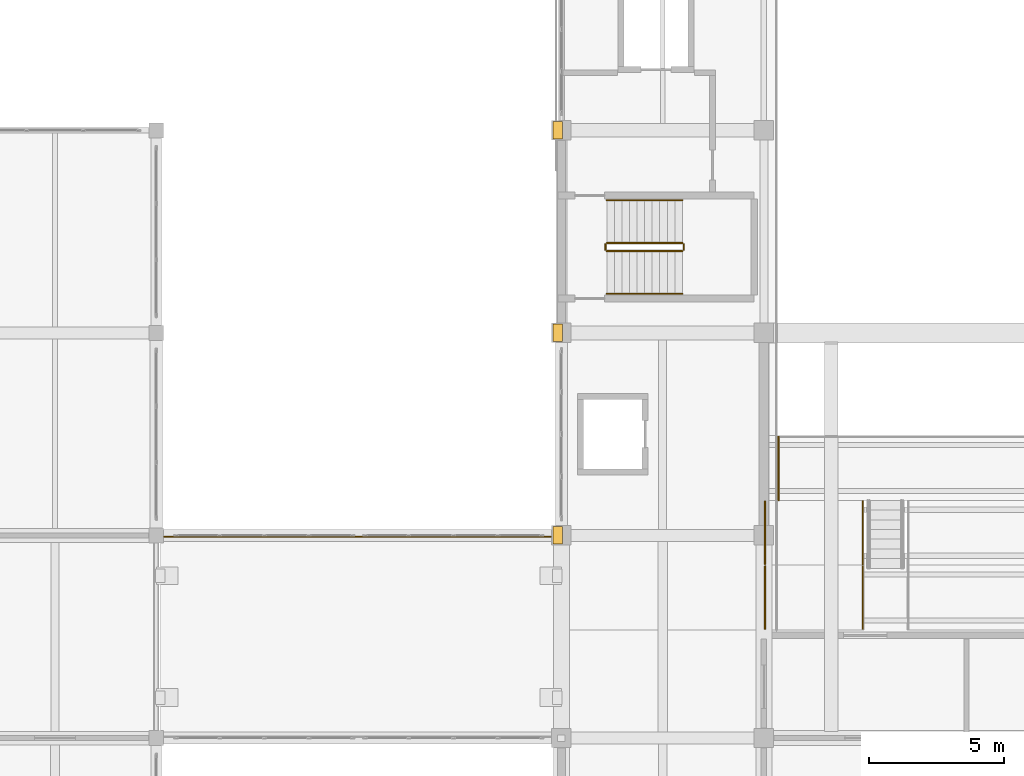
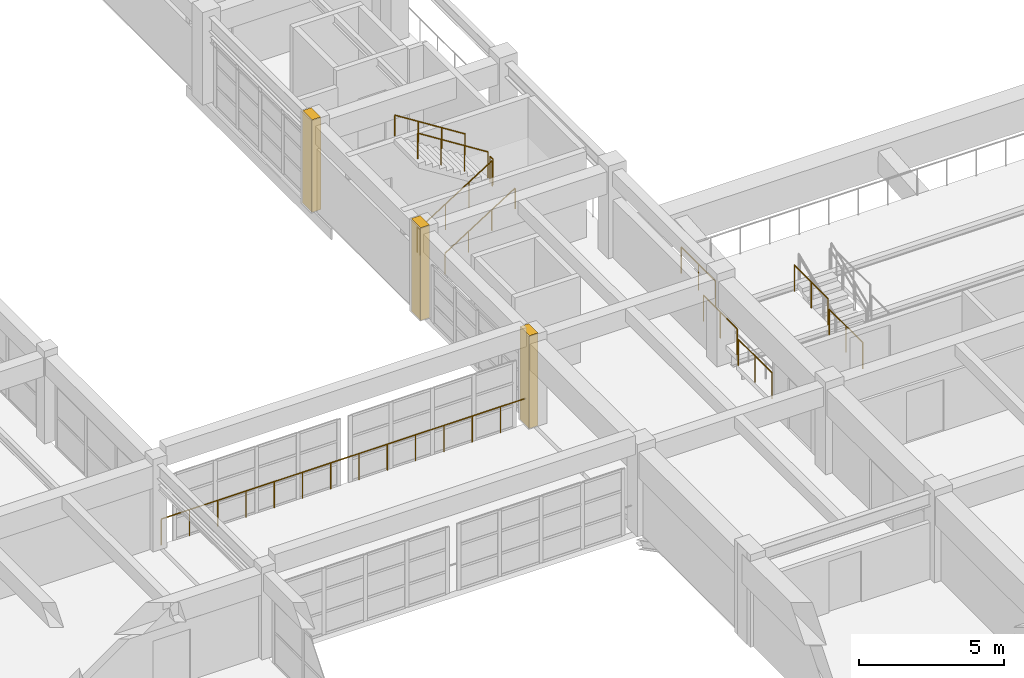
# One storey, part 93 of 101: 12 railings, 3 coverings.
"""IFC4 building model written with IfcOpenShell, lengths in metres."""

import ifcopenshell
import ifcopenshell.guid

model = None  # the IFC model being written
_history = None  # IfcOwnerHistory: only IFC2X3 demands one
_inside = {}  # id of a spatial element -> (the spatial element, [elements in it])
_under = {}  # id of a project, library or spatial element -> (it, [spatial elements below it])
_declared = {}  # id of a project -> (the project, [libraries it declares])
_typed = {}  # id of a type object -> (the type object, [elements of that type])
_made_of = {}  # id of a material, layer set ... -> (it, [elements and type objects made of it])


def new_model(schema):
    """Start an empty IFC model of exactly this schema.

    Asked for "IFC4X3", IfcOpenShell would pick the latest addendum, in which some entities
    have other attributes; the version numbers below select the first issue.
    IFC2X3 requires an IfcOwnerHistory on every rooted entity: one is made here for all.
    """
    global model, _history
    if schema == "IFC4X3":
        model = ifcopenshell.file(schema_version=(4, 3, 0, 0))
    else:
        model = ifcopenshell.file(schema=schema)
    _inside.clear()
    _under.clear()
    _declared.clear()
    _typed.clear()
    _made_of.clear()
    _history = None
    if model.schema == "IFC2X3":
        org = make("IfcOrganization", Name="unknown")
        user = make(
            "IfcPersonAndOrganization",
            ThePerson=make("IfcPerson", FamilyName="unknown"),
            TheOrganization=org,
        )
        app = make(
            "IfcApplication",
            ApplicationDeveloper=org,
            Version="unknown",
            ApplicationFullName="unknown",
            ApplicationIdentifier="unknown",
        )
        _history = make(
            "IfcOwnerHistory",
            OwningUser=user,
            OwningApplication=app,
            ChangeAction="ADDED",
            CreationDate=0,
        )
    return model


def make(cls, **values):
    """One entity of the class cls with the attributes given. An attribute that is None is left unset."""
    return model.create_entity(
        cls, **{name: value for name, value in values.items() if value is not None}
    )


def rooted(cls, **values):
    """An entity with a GlobalId (a new one), such as an element, a storey or a relation."""
    return make(cls, GlobalId=ifcopenshell.guid.new(), OwnerHistory=_history, **values)


def si_unit(unit_type, name, prefix=None):
    """IfcSIUnit, for example si_unit("LENGTHUNIT", "METRE", prefix="MILLI")."""
    return make("IfcSIUnit", UnitType=unit_type, Prefix=prefix, Name=name)


def assignment(units):
    """IfcUnitAssignment: the units of a project."""
    return None if units is None else make("IfcUnitAssignment", Units=units)


def point(xyz):
    """IfcCartesianPoint."""
    return None if xyz is None else make("IfcCartesianPoint", Coordinates=xyz)


def direction(xyz):
    """IfcDirection."""
    return None if xyz is None else make("IfcDirection", DirectionRatios=xyz)


def frame(location, z_axis=None, x_axis=None):
    """IfcAxis2Placement3D, a coordinate frame: its origin and axes. An axis left out is left unset."""
    return make(
        "IfcAxis2Placement3D",
        Location=point(location),
        Axis=direction(z_axis),
        RefDirection=direction(x_axis),
    )


def frame_2d(location, x_axis=None):
    """IfcAxis2Placement2D, a coordinate frame in the plane: its origin and x axis."""
    return make(
        "IfcAxis2Placement2D", Location=point(location), RefDirection=direction(x_axis)
    )


def origin():
    """The frame at (0, 0, 0) with its axes left unset."""
    return frame((0.0, 0.0, 0.0))


def origin_2d():
    """The frame at (0, 0) in the plane with its x axis left unset."""
    return frame_2d((0.0, 0.0))


def place(relative_to, where):
    """IfcLocalPlacement: puts the frame where relative to a parent placement (None: the world)."""
    return make(
        "IfcLocalPlacement", PlacementRelTo=relative_to, RelativePlacement=where
    )


def context(
    kind, dimensions, precision=None, world=None, true_north=None, identifier=None
):
    """IfcGeometricRepresentationContext, for example the 3D "Model" context."""
    return make(
        "IfcGeometricRepresentationContext",
        ContextIdentifier=identifier,
        ContextType=kind,
        CoordinateSpaceDimension=dimensions,
        Precision=precision,
        WorldCoordinateSystem=world,
        TrueNorth=true_north,
    )


def subcontext(parent, identifier, kind, view, scale=None):
    """IfcGeometricRepresentationSubContext, for example "Body" below "Model"."""
    return make(
        "IfcGeometricRepresentationSubContext",
        ContextIdentifier=identifier,
        ContextType=kind,
        ParentContext=parent,
        TargetScale=scale,
        TargetView=view,
    )


def project(units=None, contexts=None):
    """IfcProject with its units and contexts."""
    return rooted(
        "IfcProject",
        Name="project",
        RepresentationContexts=contexts,
        UnitsInContext=assignment(units),
    )


def spatial(cls, under=None, at=None, **own):
    """A site, building, storey or space (cls), placed at a placement, below another one or the project."""
    s = rooted(cls, ObjectPlacement=at, **own)
    if under is not None:
        _under.setdefault(under.id(), (under, []))[1].append(s)
    return s


def profile(cls, at=None, kind="AREA", **sizes):
    """A parametric profile (cls). Its sizes go by their IFC names, for example OverallWidth=200.0."""
    return make(cls, ProfileType=kind, Position=at, **sizes)


def rectangle(**sizes):
    """IfcRectangleProfileDef."""
    return profile("IfcRectangleProfileDef", **sizes)


def circle(**sizes):
    """IfcCircleProfileDef."""
    return profile("IfcCircleProfileDef", **sizes)


def extrude(swept, where, along, depth):
    """IfcExtrudedAreaSolid: the profile swept, set in the frame where, extruded along a direction by depth."""
    return make(
        "IfcExtrudedAreaSolid",
        SweptArea=swept,
        Position=where,
        ExtrudedDirection=direction(along),
        Depth=depth,
    )


def shape(context_of_items, identifier, shape_type, items):
    """IfcShapeRepresentation: the items that make up one representation, for example the "Body"."""
    return make(
        "IfcShapeRepresentation",
        ContextOfItems=context_of_items,
        RepresentationIdentifier=identifier,
        RepresentationType=shape_type,
        Items=items,
    )


def material(Name=None, Category=None):
    """IfcMaterial."""
    return make("IfcMaterial", Name=Name, Category=Category)


def layer(
    of_material, thickness, ventilated=None, Name=None, Category=None, Priority=None
):
    """IfcMaterialLayer: one layer of a wall or slab, of a material (None: an air gap)."""
    return make(
        "IfcMaterialLayer",
        Material=of_material,
        LayerThickness=thickness,
        IsVentilated=ventilated,
        Name=Name,
        Category=Category,
        Priority=Priority,
    )


def layer_set(layers, Name=None):
    """IfcMaterialLayerSet."""
    return make("IfcMaterialLayerSet", MaterialLayers=layers, LayerSetName=Name)


def made_of(thing, what):
    """Note that an element or type object is made of a material, layer set ...; save() writes the relation."""
    if what is not None:
        _made_of.setdefault(what.id(), (what, []))[1].append(thing)
    return thing


def type_object(cls, material=None, **own):
    """A type object (cls), such as IfcWallType, which elements share."""
    return made_of(rooted(cls, **own), material)


def element(
    cls,
    number,
    at=None,
    inside=None,
    cuts=None,
    type_object=None,
    material=None,
    context=None,
    identifier="Body",
    shape_type=None,
    held_by="IfcProductDefinitionShape",
    body=None,
    shapes=None,
    **own,
):
    """One element of the class cls, such as IfcWall. Its Tag is "e" and its number.

    at: its placement. inside: the storey or other place that contains it. cuts: it is an
    opening in that element (IfcRelVoidsElement). A single representation is given by context,
    identifier, shape_type and body (its items); several are given by shapes. held_by: the class
    of the entity that holds the representations. save() writes the other relations.
    """
    e = rooted(cls, Tag="e%d" % number, ObjectPlacement=at, **own)
    if body is not None:
        shapes = [shape(context, identifier, shape_type, body)]
    if shapes is not None:
        e.Representation = make(held_by, Representations=shapes)
    if inside is not None:
        _inside.setdefault(inside.id(), (inside, []))[1].append(e)
    if cuts is not None:
        rooted(
            "IfcRelVoidsElement", RelatingBuildingElement=cuts, RelatedOpeningElement=e
        )
    if type_object is not None:
        _typed.setdefault(type_object.id(), (type_object, []))[1].append(e)
    return made_of(e, material)


def aggregate(whole, parts):
    """IfcRelAggregates: a whole, such as a stair, and the parts it consists of."""
    return rooted("IfcRelAggregates", RelatingObject=whole, RelatedObjects=parts)


def save(model, path):
    """Write the relations noted so far, then the file.

    IfcRelAggregates (storeys below a building ...), IfcRelContainedInSpatialStructure (elements
    in a storey), IfcRelDefinesByType, IfcRelAssociatesMaterial and IfcRelDeclares: one each for
    every whole, place, type object, material and project.
    """
    for whole, parts in _under.values():
        aggregate(whole, parts)
    for where, things in _inside.values():
        rooted(
            "IfcRelContainedInSpatialStructure",
            RelatedElements=things,
            RelatingStructure=where,
        )
    for kind, things in _typed.values():
        rooted("IfcRelDefinesByType", RelatedObjects=things, RelatingType=kind)
    for what, things in _made_of.values():
        rooted("IfcRelAssociatesMaterial", RelatedObjects=things, RelatingMaterial=what)
    for by, libraries in _declared.values():
        rooted("IfcRelDeclares", RelatingContext=by, RelatedDefinitions=libraries)
    model.write(path)


model = new_model("IFC4")

# Units and contexts
model_context = context("Model", 3, precision=1e-05, world=origin(), true_north=direction((0.0, 1.0)))
body_context = subcontext(model_context, "Body", "Model", "MODEL_VIEW")
ifc_project = project(units=[si_unit("LENGTHUNIT", "METRE"), si_unit("AREAUNIT", "SQUARE_METRE"), si_unit("VOLUMEUNIT", "CUBIC_METRE"), si_unit("PLANEANGLEUNIT", "RADIAN"), si_unit("MASSUNIT", "GRAM", prefix="KILO")], contexts=[model_context])

# Site, building, storey
site_placement = place(None, origin())
site = spatial("IfcSite", under=ifc_project, at=site_placement, CompositionType="ELEMENT")
building_placement = place(site_placement, origin())
building = spatial("IfcBuilding", under=site, at=building_placement, Name="Qasida Concert Hall", CompositionType="ELEMENT")
storey_placement = place(building_placement, frame((0.0, 0.0, 13.199951171875)))
storey = spatial("IfcBuildingStorey", under=building, at=storey_placement, Name="L03", CompositionType="ELEMENT", Elevation=13.199951171875)

# Coverings
ifc_material_1 = material(Name="Projecting fluted Lebanese limestone Art Deco pilaster", Category="masonry")
ifc_layer_1 = layer(ifc_material_1, 0.35009765625, Name="Projecting fluted Lebanese limestone Art Deco pilaster")
ifc_layer_set_1 = layer_set([ifc_layer_1], Name="Projecting fluted Lebanese limestone Art Deco pilaster")
covering_type = type_object("IfcCoveringType", Name="CV-PIL-650", PredefinedType="CLADDING", material=ifc_layer_set_1)
for number, where, z_axis, x_axis, name in (
    (1, (52.364990234375, 37.5, 0.0), (0.0, 0.0, 1.0), (1.0, 0.0, 0.0), "L03 fluted limestone pilaster 0018"),
    (2, (52.364990234375, 45.0, 0.0), (0.0, 0.0, 1.0), (1.0, 0.0, 0.0), "L03 fluted limestone pilaster 0032"),
    (3, (52.364990234375, 52.5, 0.0), (0.0, 0.0, 1.0), (1.0, 0.0, 0.0), "L03 fluted limestone pilaster 0046"),
):
    element("IfcCovering", number, at=place(storey_placement, frame(where, z_axis=z_axis, x_axis=x_axis)), inside=storey, type_object=covering_type, Name=name, PredefinedType="CLADDING", context=body_context, shape_type="SweptSolid", body=[
        extrude(rectangle(XDim=0.35009765625, YDim=0.64990234375, at=origin_2d()), origin(), (0.0, 0.0, 1.0), 3.89990234375),
    ])

# Railings
ifc_material_2 = material(Name="Carved Lebanese limestone and bronze top rail", Category="masonry")
ifc_layer_2 = layer(ifc_material_2, 0.10009765625, Name="Carved Lebanese limestone and bronze top rail")
ifc_layer_set_2 = layer_set([ifc_layer_2], Name="Carved Lebanese limestone and bronze top rail")
railing_type_1 = type_object("IfcRailingType", Name="RL-BAL-1100", PredefinedType="BALUSTRADE", material=ifc_layer_set_2)
railing_1_placement = place(storey_placement, frame((60.5400390625, 38.800048828125, 1.199951171875)))
element("IfcRailing", 4, at=railing_1_placement, inside=storey, type_object=railing_type_1, Name="L03 Symphony second balcony front rail 0091", PredefinedType="BALUSTRADE", context=body_context, shape_type="SweptSolid", body=[
    extrude(circle(Radius=0.02392578125, at=origin_2d()), frame((0.0, 0.0, 1.09619140625), z_axis=(0.0, 1.0, 0.0), x_axis=(-1.0, 0.0, 0.0)), (0.0, 0.0, 1.0), 2.35986328125),
    extrude(circle(Radius=0.02099609375, at=origin_2d()), origin(), (0.0, 0.0, 1.0), 1.072021484375),
    extrude(circle(Radius=0.02099609375, at=origin_2d()), frame((0.0, 1.179931640625, 0.0)), (0.0, 0.0, 1.0), 1.072021484375),
    extrude(circle(Radius=0.02099609375, at=origin_2d()), frame((0.0, 2.35986328125, 0.0)), (0.0, 0.0, 1.0), 1.072021484375),
])
ifc_material_3 = material(Name="Patinated architectural bronze and laminated glass infill", Category="glass")
ifc_layer_3 = layer(ifc_material_3, 0.080078125, Name="Patinated architectural bronze and laminated glass infill")
ifc_layer_set_3 = layer_set([ifc_layer_3], Name="Patinated architectural bronze and laminated glass infill")
railing_type_2 = type_object("IfcRailingType", Name="RL-GRD-1100", PredefinedType="GUARDRAIL", material=ifc_layer_set_3)
railing_2_placement = place(storey_placement, frame((37.679931640625, 37.449951171875, 0.0)))
element("IfcRailing", 5, at=railing_2_placement, inside=storey, type_object=railing_type_2, Name="L03 Link bridge north guard 0029", PredefinedType="GUARDRAIL", context=body_context, shape_type="SweptSolid", body=[
    extrude(circle(Radius=0.02392578125, at=origin_2d()), frame((0.0, 0.0, 1.09619140625), z_axis=(1.0, 0.0, 0.0), x_axis=(0.0, 1.0, 0.0)), (0.0, 0.0, 1.0), 14.64013671875),
    extrude(circle(Radius=0.02099609375, at=origin_2d()), origin(), (0.0, 0.0, 1.0), 1.072021484375),
    extrude(circle(Radius=0.02099609375, at=origin_2d()), frame((1.126220703125, 0.0, 0.0)), (0.0, 0.0, 1.0), 1.072021484375),
    extrude(circle(Radius=0.02099609375, at=origin_2d()), frame((2.25244140625, 0.0, 0.0)), (0.0, 0.0, 1.0), 1.072021484375),
    extrude(circle(Radius=0.02099609375, at=origin_2d()), frame((3.37841796875, 0.0, 0.0)), (0.0, 0.0, 1.0), 1.072021484375),
    extrude(circle(Radius=0.02099609375, at=origin_2d()), frame((4.504638671875, 0.0, 0.0)), (0.0, 0.0, 1.0), 1.072021484375),
    extrude(circle(Radius=0.02099609375, at=origin_2d()), frame((5.630859375, 0.0, 0.0)), (0.0, 0.0, 1.0), 1.072021484375),
    extrude(circle(Radius=0.02099609375, at=origin_2d()), frame((6.757080078125, 0.0, 0.0)), (0.0, 0.0, 1.0), 1.072021484375),
    extrude(circle(Radius=0.02099609375, at=origin_2d()), frame((7.883056640625, 0.0, 0.0)), (0.0, 0.0, 1.0), 1.072021484375),
    extrude(circle(Radius=0.02099609375, at=origin_2d()), frame((9.00927734375, 0.0, 0.0)), (0.0, 0.0, 1.0), 1.072021484375),
    extrude(circle(Radius=0.02099609375, at=origin_2d()), frame((10.135498046875, 0.0, 0.0)), (0.0, 0.0, 1.0), 1.072021484375),
    extrude(circle(Radius=0.02099609375, at=origin_2d()), frame((11.26171875, 0.0, 0.0)), (0.0, 0.0, 1.0), 1.072021484375),
    extrude(circle(Radius=0.02099609375, at=origin_2d()), frame((12.3876953125, 0.0, 0.0)), (0.0, 0.0, 1.0), 1.072021484375),
    extrude(circle(Radius=0.02099609375, at=origin_2d()), frame((13.513916015625, 0.0, 0.0)), (0.0, 0.0, 1.0), 1.072021484375),
    extrude(circle(Radius=0.02099609375, at=origin_2d()), frame((14.64013671875, 0.0, 0.0)), (0.0, 0.0, 1.0), 1.072021484375),
])
for number, where, name in (
    (6, (60.0400390625, 34.0400390625, 0.400146484375), "L03 L03 tier side guard 0094"),
    (7, (63.659912109375, 34.0400390625, 0.400146484375), "L03 L03 tier side guard 0095"),
    (8, (60.0400390625, 36.43994140625, 0.800048828125), "L03 L03 tier side guard 0096"),
    (9, (63.659912109375, 36.43994140625, 0.800048828125), "L03 L03 tier side guard 0097"),
):
    element("IfcRailing", number, at=place(storey_placement, frame(where)), inside=storey, type_object=railing_type_2, Name=name, PredefinedType="GUARDRAIL", context=body_context, shape_type="SweptSolid", body=[
        extrude(circle(Radius=0.02392578125, at=origin_2d()), frame((0.0, 0.0, 1.09619140625), z_axis=(0.0, 1.0, 0.0), x_axis=(-1.0, 0.0, 0.0)), (0.0, 0.0, 1.0), 2.320068359375),
        extrude(circle(Radius=0.02099609375, at=origin_2d()), origin(), (0.0, 0.0, 1.0), 1.072021484375),
        extrude(circle(Radius=0.02099609375, at=origin_2d()), frame((0.0, 1.16015625, 0.0)), (0.0, 0.0, 1.0), 1.072021484375),
        extrude(circle(Radius=0.02099609375, at=origin_2d()), frame((0.0, 2.320068359375, 0.0)), (0.0, 0.0, 1.0), 1.072021484375),
    ])
railing_3_placement = place(storey_placement, frame((54.179931640625, 48.030029296875, 0.17724609375)))
element("IfcRailing", 10, at=railing_3_placement, inside=storey, type_object=railing_type_2, Name="L03 ST-01 stair guard 1", PredefinedType="GUARDRAIL", context=body_context, shape_type="SweptSolid", body=[
    extrude(circle(Radius=0.02392578125, at=origin_2d()), frame((0.0, 0.0, 1.076171875), z_axis=(0.844908973607, 0.0, 0.534910110503), x_axis=(0.0, 1.0, 0.0)), (0.0, 0.0, 1.0), 3.31396484375),
    extrude(circle(Radius=0.02099609375, at=origin_2d()), origin(), (0.0, 0.0, 1.0), 1.052001953125),
    extrude(circle(Radius=0.02099609375, at=origin_2d()), frame((0.933349609375, 0.0, 0.5908203125)), (0.0, 0.0, 1.0), 1.052001953125),
    extrude(circle(Radius=0.02099609375, at=origin_2d()), frame((1.86669921875, 0.0, 1.181884765625)), (0.0, 0.0, 1.0), 1.052001953125),
    extrude(circle(Radius=0.02099609375, at=origin_2d()), frame((2.800048828125, 0.0, 1.772705078125)), (0.0, 0.0, 1.0), 1.052001953125),
])
railing_4_placement = place(storey_placement, frame((57.030029296875, 48.080078125, 1.949951171875)))
element("IfcRailing", 11, at=railing_4_placement, inside=storey, type_object=railing_type_2, Name="L03 ST-01 stair guard 2", PredefinedType="GUARDRAIL", context=body_context, shape_type="SweptSolid", body=[
    extrude(circle(Radius=0.02392578125, at=origin_2d()), frame((0.0, 0.0, 1.076171875), z_axis=(0.0, 1.0, 0.0), x_axis=(-1.0, 0.0, 0.0)), (0.0, 0.0, 1.0), 0.199951171875),
    extrude(circle(Radius=0.02099609375, at=origin_2d()), origin(), (0.0, 0.0, 1.0), 1.052001953125),
    extrude(circle(Radius=0.02099609375, at=origin_2d()), frame((0.0, 0.199951171875, 0.0)), (0.0, 0.0, 1.0), 1.052001953125),
])
railing_5_placement = place(storey_placement, frame((56.97998046875, 48.330078125, 2.12744140625)))
element("IfcRailing", 12, at=railing_5_placement, inside=storey, type_object=railing_type_2, Name="L03 ST-01 stair guard 3", PredefinedType="GUARDRAIL", context=body_context, shape_type="SweptSolid", body=[
    extrude(circle(Radius=0.02392578125, at=origin_2d()), frame((0.0, 0.0, 1.076171875), z_axis=(-0.844908973607, 0.0, 0.534910110503), x_axis=(0.0, -1.0, 0.0)), (0.0, 0.0, 1.0), 3.31396484375),
    extrude(circle(Radius=0.02099609375, at=origin_2d()), origin(), (0.0, 0.0, 1.0), 1.052001953125),
    extrude(circle(Radius=0.02099609375, at=origin_2d()), frame((-0.933349609375, 0.0, 0.5908203125)), (0.0, 0.0, 1.0), 1.052001953125),
    extrude(circle(Radius=0.02099609375, at=origin_2d()), frame((-1.86669921875, 0.0, 1.181884765625)), (0.0, 0.0, 1.0), 1.052001953125),
    extrude(circle(Radius=0.02099609375, at=origin_2d()), frame((-2.800048828125, 0.0, 1.772705078125)), (0.0, 0.0, 1.0), 1.052001953125),
])
railing_6_placement = place(storey_placement, frame((54.1298828125, 48.080078125, 0.0)))
element("IfcRailing", 13, at=railing_6_placement, inside=storey, type_object=railing_type_2, Name="L03 ST-01 stair guard 4", PredefinedType="GUARDRAIL", context=body_context, shape_type="SweptSolid", body=[
    extrude(circle(Radius=0.02392578125, at=origin_2d()), frame((0.0, 0.0, 1.076171875), z_axis=(0.0, 1.0, 0.0), x_axis=(-1.0, 0.0, 0.0)), (0.0, 0.0, 1.0), 0.199951171875),
    extrude(circle(Radius=0.02099609375, at=origin_2d()), origin(), (0.0, 0.0, 1.0), 1.052001953125),
    extrude(circle(Radius=0.02099609375, at=origin_2d()), frame((0.0, 0.199951171875, 0.0)), (0.0, 0.0, 1.0), 1.052001953125),
])
ifc_material_4 = material(Name="Patinated tubular architectural bronze", Category="steel")
ifc_layer_4 = layer(ifc_material_4, 0.050048828125, Name="Patinated tubular architectural bronze")
ifc_layer_set_4 = layer_set([ifc_layer_4], Name="Patinated tubular architectural bronze")
railing_type_3 = type_object("IfcRailingType", Name="RL-HND-900", PredefinedType="HANDRAIL", material=ifc_layer_set_4)
railing_7_placement = place(storey_placement, frame((54.179931640625, 46.449951171875, 0.17724609375)))
element("IfcRailing", 14, at=railing_7_placement, inside=storey, type_object=railing_type_3, Name="L03 ST-01 stair handrail 1", PredefinedType="HANDRAIL", context=body_context, shape_type="SweptSolid", body=[
    extrude(circle(Radius=0.02392578125, at=origin_2d()), frame((0.0, 0.0, 0.8759765625), z_axis=(0.844908973607, 0.0, 0.534910110503), x_axis=(0.0, 1.0, 0.0)), (0.0, 0.0, 1.0), 3.31396484375),
    extrude(circle(Radius=0.02099609375, at=origin_2d()), origin(), (0.0, 0.0, 1.0), 0.851806640625),
    extrude(circle(Radius=0.02099609375, at=origin_2d()), frame((0.933349609375, 0.0, 0.5908203125)), (0.0, 0.0, 1.0), 0.851806640625),
    extrude(circle(Radius=0.02099609375, at=origin_2d()), frame((1.86669921875, 0.0, 1.181884765625)), (0.0, 0.0, 1.0), 0.851806640625),
    extrude(circle(Radius=0.02099609375, at=origin_2d()), frame((2.800048828125, 0.0, 1.772705078125)), (0.0, 0.0, 1.0), 0.851806640625),
])
railing_8_placement = place(storey_placement, frame((56.97998046875, 49.909912109375, 2.12744140625)))
element("IfcRailing", 15, at=railing_8_placement, inside=storey, type_object=railing_type_3, Name="L03 ST-01 stair handrail 2", PredefinedType="HANDRAIL", context=body_context, shape_type="SweptSolid", body=[
    extrude(circle(Radius=0.02392578125, at=origin_2d()), frame((0.0, 0.0, 0.8759765625), z_axis=(-0.844908973607, 0.0, 0.534910110503), x_axis=(0.0, -1.0, 0.0)), (0.0, 0.0, 1.0), 3.31396484375),
    extrude(circle(Radius=0.02099609375, at=origin_2d()), origin(), (0.0, 0.0, 1.0), 0.851806640625),
    extrude(circle(Radius=0.02099609375, at=origin_2d()), frame((-0.933349609375, 0.0, 0.5908203125)), (0.0, 0.0, 1.0), 0.851806640625),
    extrude(circle(Radius=0.02099609375, at=origin_2d()), frame((-1.86669921875, 0.0, 1.181884765625)), (0.0, 0.0, 1.0), 0.851806640625),
    extrude(circle(Radius=0.02099609375, at=origin_2d()), frame((-2.800048828125, 0.0, 1.772705078125)), (0.0, 0.0, 1.0), 0.851806640625),
])

save(model, "model.ifc")
